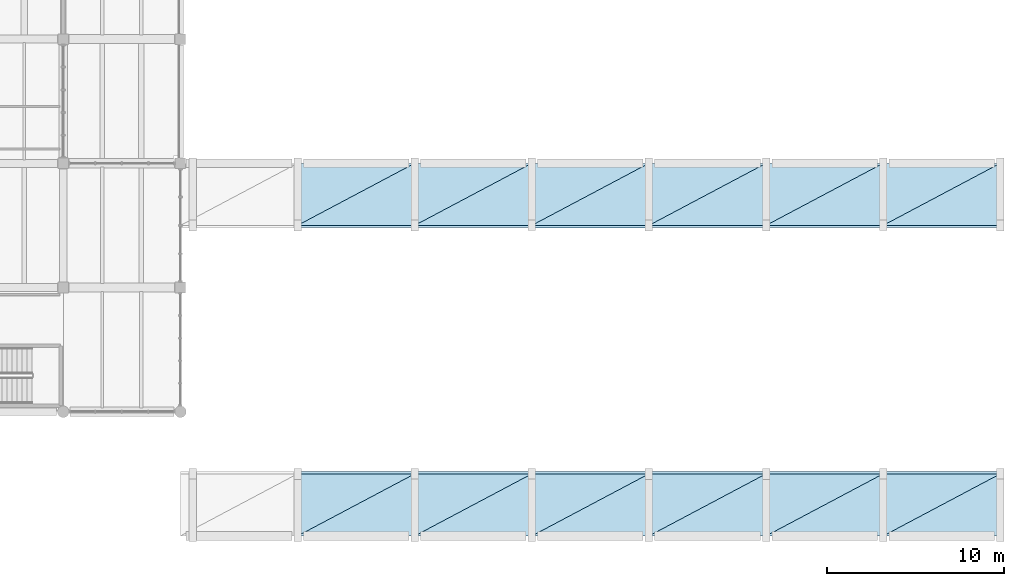
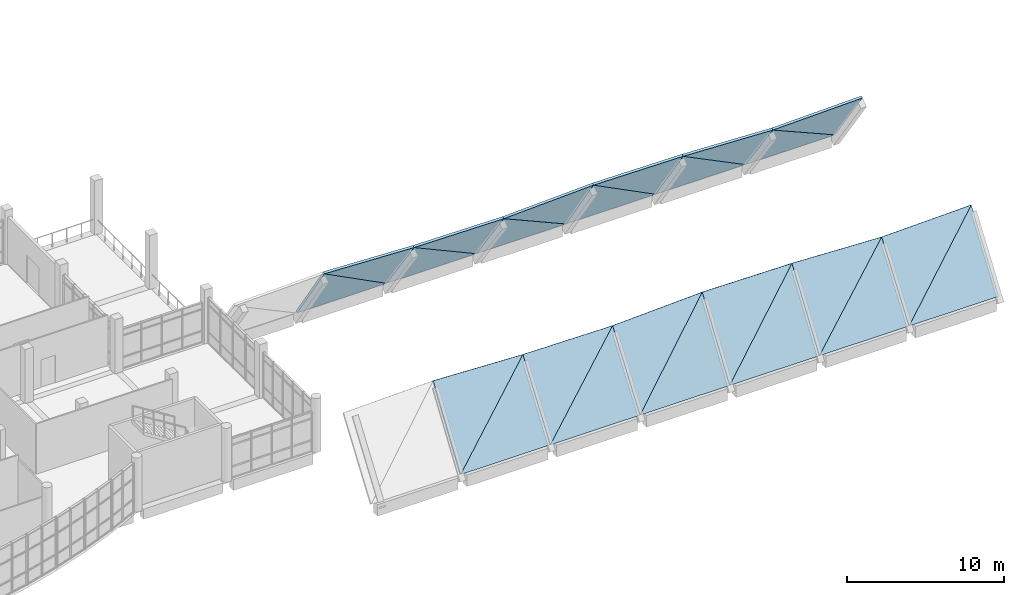
# One storey, part 46 of 67: 24 slabs, 1 element without a shape of its own.
"""IFC4 building model written with IfcOpenShell, lengths in metres."""

from ifc_helpers import new_model, si_unit, direction, frame, origin, place, context, subcontext, project, spatial, polyline, outline, extrude, material, layer, layer_set, type_object, element, aggregate, save


model = new_model("IFC4")

# Units and contexts
model_context = context("Model", 3, precision=1e-05, world=origin(), true_north=direction((0.0, 1.0)))
body_context = subcontext(model_context, "Body", "Model", "MODEL_VIEW")
ifc_project = project(units=[si_unit("LENGTHUNIT", "METRE"), si_unit("AREAUNIT", "SQUARE_METRE"), si_unit("VOLUMEUNIT", "CUBIC_METRE"), si_unit("PLANEANGLEUNIT", "RADIAN"), si_unit("MASSUNIT", "GRAM", prefix="KILO")], contexts=[model_context])

# Site, building, storey
site_placement = place(None, origin())
site = spatial("IfcSite", under=ifc_project, at=site_placement, CompositionType="ELEMENT")
building_placement = place(site_placement, origin())
building = spatial("IfcBuilding", under=site, at=building_placement, Name="Ciguamira Faculty of Natural Sciences", CompositionType="ELEMENT")
storey_placement = place(building_placement, frame((0.0, 0.0, 8.39990234375)))
storey = spatial("IfcBuildingStorey", under=building, at=storey_placement, Name="L02", CompositionType="ELEMENT", Elevation=8.39990234375)

# Roof, slabs
ifc_material = material(Name="Concrete C40/50", Category="concrete")
roof_type = type_object("IfcRoofType", Name="RoofSys_RF-SHL", PredefinedType="FREEFORM", material=ifc_material)
roof_placement = place(storey_placement, origin())
roof = element("IfcRoof", 1, at=roof_placement, inside=storey, type_object=roof_type, Name="Lecture Theatres Thin Concrete Shell Roof", PredefinedType="FREEFORM")
ifc_layer = layer(ifc_material, 0.159912109375, Name="Concrete C40/50")
ifc_layer_set = layer_set([ifc_layer], Name="Concrete C40/50")
slab_type = type_object("IfcSlabType", Name="Slab_SR-02_160", PredefinedType="ROOF", material=ifc_layer_set)
slab_1_placement = place(storey_placement, frame((129.89990234375, 3.0, 0.0), z_axis=(0.0, -0.81442482157, 0.580269084142), x_axis=(1.0, 0.0, 0.0)))
slab_1 = element("IfcSlab", 2, at=slab_1_placement, type_object=slab_type, Name="V1 thin concrete shell facet 02-01-T1", PredefinedType="ROOF", context=body_context, shape_type="SweptSolid", body=[
    extrude(outline(polyline([(0.0, 0.0), (6.60009765625, 0.0), (6.60009765625, 6.031684429947682), (0.0, 0.0)])), origin(), (0.0, 0.0, -1.0), 0.159912109375),
])
slab_2_placement = place(storey_placement, frame((129.89990234375, 3.0, 0.0), z_axis=(0.022691842945, -0.828372186271, 0.559718323155), x_axis=(0.738178653202, 0.391452584608, 0.549415280057)))
slab_2 = element("IfcSlab", 3, at=slab_2_placement, type_object=slab_type, Name="V1 thin concrete shell facet 02-01-T2", PredefinedType="ROOF", context=body_context, shape_type="SweptSolid", body=[
    extrude(outline(polyline([(0.0, 0.0), (8.941057327548574, 4.440892098500626e-16), (4.216017639141639, 4.6159383735048465), (0.0, 0.0)])), origin(), (0.0, 0.0, -1.0), 0.159912109375),
])
slab_3_placement = place(storey_placement, frame((129.89990234375, 20.5, 5.179931640625), z_axis=(0.023518495479, 0.814199553238, 0.580108582834), x_axis=(0.999179203423, 0.0, -0.040508263925)))
slab_3 = element("IfcSlab", 4, at=slab_3_placement, type_object=slab_type, Name="V1 thin concrete shell facet 02-06-T1", PredefinedType="ROOF", context=body_context, shape_type="SweptSolid", body=[
    extrude(outline(polyline([(0.0, 0.0), (6.605519443996457, 0.0), (6.804510356700945, 6.028401088110705), (0.0, 0.0)])), origin(), (0.0, 0.0, -1.0), 0.159912109375),
])
slab_4_placement = place(storey_placement, frame((129.89990234375, 20.5, 5.179931640625), z_axis=(0.0, 0.828585541264, 0.559862483837), x_axis=(0.726017977512, 0.385003836858, -0.569798158943)))
slab_4 = element("IfcSlab", 5, at=slab_4_placement, type_object=slab_type, Name="V1 thin concrete shell facet 02-06-T2", PredefinedType="ROOF", context=body_context, shape_type="SweptSolid", body=[
    extrude(outline(polyline([(0.0, 0.0), (9.090818493050268, 8.881784197001252e-16), (4.299028941280161, 4.5387269100028025), (0.0, 0.0)])), origin(), (0.0, 0.0, -1.0), 0.159912109375),
])
slab_5_placement = place(storey_placement, frame((136.5, 3.0, 0.0), z_axis=(0.0, -0.810681382248, 0.585487571582), x_axis=(1.0, 0.0, 0.0)))
slab_5 = element("IfcSlab", 6, at=slab_5_placement, type_object=slab_type, Name="V1 thin concrete shell facet 03-01-T1", PredefinedType="ROOF", context=body_context, shape_type="SweptSolid", body=[
    extrude(outline(polyline([(0.0, 0.0), (6.60009765625, 0.0), (6.60009765625, 5.977923648392588), (0.0, 0.0)])), origin(), (0.0, 0.0, -1.0), 0.159912109375),
])
slab_6_placement = place(storey_placement, frame((136.5, 3.0, 0.0), z_axis=(0.005816758951, -0.81441104355, 0.580259267448), x_axis=(0.741177736781, 0.393042984187, 0.544217580643)))
slab_6 = element("IfcSlab", 7, at=slab_6_placement, type_object=slab_type, Name="V1 thin concrete shell facet 03-01-T2", PredefinedType="ROOF", context=body_context, shape_type="SweptSolid", body=[
    extrude(outline(polyline([(0.0, 0.0), (8.904878450492635, 8.881784197001252e-16), (4.049039590191055, 4.470625846516207), (0.0, 0.0)])), origin(), (0.0, 0.0, -1.0), 0.159912109375),
])
slab_7_placement = place(storey_placement, frame((136.5, 20.5, 4.912353515625), z_axis=(0.005869068549, 0.810667419776, 0.585477487653), x_axis=(0.999949759351, 0.0, -0.010023910068)))
slab_7 = element("IfcSlab", 8, at=slab_7_placement, type_object=slab_type, Name="V1 thin concrete shell facet 03-06-T1", PredefinedType="ROOF", context=body_context, shape_type="SweptSolid", body=[
    extrude(outline(polyline([(0.0, 0.0), (6.600429266097296, 6.938893903907228e-18), (6.649007052926922, 5.97772626879469), (0.0, 0.0)])), origin(), (0.0, 0.0, -1.0), 0.159912109375),
])
slab_8_placement = place(storey_placement, frame((136.5, 20.5, 4.912353515625), z_axis=(0.0, 0.81442482157, 0.580269084142), x_axis=(0.738178653202, 0.391452584608, -0.549415280057)))
slab_8 = element("IfcSlab", 9, at=slab_8_placement, type_object=slab_type, Name="V1 thin concrete shell facet 03-06-T2", PredefinedType="ROOF", context=body_context, shape_type="SweptSolid", body=[
    extrude(outline(polyline([(0.0, 0.0), (8.941057327548574, 0.0), (4.069006128657511, 4.45246068903712), (0.0, 0.0)])), origin(), (0.0, 0.0, -1.0), 0.159912109375),
])
slab_9_placement = place(storey_placement, frame((143.10009765625, 3.0, 0.0), z_axis=(0.0, -0.826735949182, 0.562590144182), x_axis=(1.0, 0.0, 0.0)))
slab_9 = element("IfcSlab", 10, at=slab_9_placement, type_object=slab_type, Name="V1 thin concrete shell facet 04-01-T1", PredefinedType="ROOF", context=body_context, shape_type="SweptSolid", body=[
    extrude(outline(polyline([(0.0, 0.0), (6.599853515625, 0.0), (6.599853515625, 6.221225231543672), (0.0, 0.0)])), origin(), (0.0, 0.0, -1.0), 0.159912109375),
])
slab_10_placement = place(storey_placement, frame((143.10009765625, 3.0, 0.0), z_axis=(-0.026348943358, -0.810399918795, 0.585284293998), x_axis=(0.727671608469, 0.385895023823, 0.567079413148)))
slab_10 = element("IfcSlab", 11, at=slab_10_placement, type_object=slab_type, Name="V1 thin concrete shell facet 04-01-T2", PredefinedType="ROOF", context=body_context, shape_type="SweptSolid", body=[
    extrude(outline(polyline([(0.0, 0.0), (9.06982413331721, -4.440892098500626e-16), (4.098807962039723, 4.3514761215398075), (0.0, 0.0)])), origin(), (0.0, 0.0, -1.0), 0.159912109375),
])
slab_11_placement = place(storey_placement, frame((143.10009765625, 20.5, 4.84619140625), z_axis=(-0.025319154827, 0.82647091319, 0.562409788365), x_axis=(0.998988180276, 0.0, 0.044973499626)))
slab_11 = element("IfcSlab", 12, at=slab_11_placement, type_object=slab_type, Name="V1 thin concrete shell facet 04-06-T1", PredefinedType="ROOF", context=body_context, shape_type="SweptSolid", body=[
    extrude(outline(polyline([(0.0, 0.0), (6.606538141222936, 5.551115123125783e-17), (6.375225466265441, 6.2169235018616416), (0.0, 0.0)])), origin(), (0.0, 0.0, -1.0), 0.159912109375),
])
slab_12_placement = place(storey_placement, frame((143.10009765625, 20.5, 4.84619140625), z_axis=(0.0, 0.810681382248, 0.585487571582), x_axis=(0.741165381005, 0.393050971113, -0.54422863955)))
slab_12 = element("IfcSlab", 13, at=slab_12_placement, type_object=slab_type, Name="V1 thin concrete shell facet 04-06-T2", PredefinedType="ROOF", context=body_context, shape_type="SweptSolid", body=[
    extrude(outline(polyline([(0.0, 0.0), (8.904697500405, -8.881784197001252e-16), (4.01311455491734, 4.4306300584817455), (0.0, 0.0)])), origin(), (0.0, 0.0, -1.0), 0.159912109375),
])
slab_13_placement = place(storey_placement, frame((149.699951171875, 3.0, 0.0), z_axis=(0.0, -0.823325065327, 0.567570116201), x_axis=(1.0, 0.0, 0.0)))
slab_13 = element("IfcSlab", 14, at=slab_13_placement, type_object=slab_type, Name="V1 thin concrete shell facet 05-01-T1", PredefinedType="ROOF", context=body_context, shape_type="SweptSolid", body=[
    extrude(outline(polyline([(0.0, 0.0), (6.60009765625, 0.0), (6.60009765625, 6.166638975682677), (0.0, 0.0)])), origin(), (0.0, 0.0, -1.0), 0.159912109375),
])
slab_14_placement = place(storey_placement, frame((149.699951171875, 3.0, 0.0), z_axis=(0.005639546666, -0.826722802121, 0.562581197665), x_axis=(0.730693573006, 0.38748328263, 0.562088612275)))
slab_14 = element("IfcSlab", 15, at=slab_14_placement, type_object=slab_type, Name="V1 thin concrete shell facet 05-01-T2", PredefinedType="ROOF", context=body_context, shape_type="SweptSolid", body=[
    extrude(outline(polyline([(0.0, 0.0), (9.032647747390875, 4.440892098500626e-16), (4.247187776997628, 4.545881583204469), (0.0, 0.0)])), origin(), (0.0, 0.0, -1.0), 0.159912109375),
])
slab_15_placement = place(storey_placement, frame((149.699951171875, 20.5, 5.143310546875), z_axis=(0.005689465563, 0.823311739695, 0.567560929999), x_axis=(0.999949759351, 0.0, -0.010023910068)))
slab_15 = element("IfcSlab", 16, at=slab_15_placement, type_object=slab_type, Name="V1 thin concrete shell facet 05-06-T1", PredefinedType="ROOF", context=body_context, shape_type="SweptSolid", body=[
    extrude(outline(polyline([(0.0, 0.0), (6.600429266097296, 0.0), (6.651322145437795, 6.166428964258092), (0.0, 0.0)])), origin(), (0.0, 0.0, -1.0), 0.159912109375),
])
slab_16_placement = place(storey_placement, frame((149.699951171875, 20.5, 5.143310546875), z_axis=(0.0, 0.826735949182, 0.562590144182), x_axis=(0.727684272809, 0.385887465228, -0.567068305662)))
slab_16 = element("IfcSlab", 17, at=slab_16_placement, type_object=slab_type, Name="V1 thin concrete shell facet 05-06-T2", PredefinedType="ROOF", context=body_context, shape_type="SweptSolid", body=[
    extrude(outline(polyline([(0.0, 0.0), (9.070001789064452, 4.440892098500626e-16), (4.267214525609019, 4.527087758595698), (0.0, 0.0)])), origin(), (0.0, 0.0, -1.0), 0.159912109375),
])
slab_17_placement = place(storey_placement, frame((156.300048828125, 3.0, 0.0), z_axis=(0.0, -0.808565662543, 0.588405956255), x_axis=(1.0, 0.0, 0.0)))
slab_17 = element("IfcSlab", 18, at=slab_17_placement, type_object=slab_type, Name="V1 thin concrete shell facet 06-01-T1", PredefinedType="ROOF", context=body_context, shape_type="SweptSolid", body=[
    extrude(outline(polyline([(0.0, 0.0), (6.599853515625, 0.0), (6.599853515625, 5.94827425316632), (0.0, 0.0)])), origin(), (0.0, 0.0, -1.0), 0.159912109375),
])
slab_18_placement = place(storey_placement, frame((156.300048828125, 3.0, 0.0), z_axis=(0.023004928089, -0.823107173684, 0.567419909691), x_axis=(0.742823516999, 0.393930305171, 0.541324428842)))
slab_18 = element("IfcSlab", 19, at=slab_18_placement, type_object=slab_type, Name="V1 thin concrete shell facet 06-01-T2", PredefinedType="ROOF", context=body_context, shape_type="SweptSolid", body=[
    extrude(outline(polyline([(0.0, 0.0), (8.884820370642785, -8.881784197001252e-16), (4.1271405461743615, 4.581937054187048), (0.0, 0.0)])), origin(), (0.0, 0.0, -1.0), 0.159912109375),
])
slab_19_placement = place(storey_placement, frame((156.300048828125, 20.5, 5.0771484375), z_axis=(0.02384898098, 0.808335684317, 0.588238597481), x_axis=(0.999179142771, 0.0, -0.040509759941)))
slab_19 = element("IfcSlab", 20, at=slab_19_placement, type_object=slab_type, Name="V1 thin concrete shell facet 06-06-T1", PredefinedType="ROOF", context=body_context, shape_type="SweptSolid", body=[
    extrude(outline(polyline([(0.0, 0.0), (6.60527550376865, 0.0), (6.800110042546049, 5.945082513588921), (0.0, 0.0)])), origin(), (0.0, 0.0, -1.0), 0.159912109375),
])
slab_20_placement = place(storey_placement, frame((156.300048828125, 20.5, 5.0771484375), z_axis=(0.0, 0.823325065327, 0.567570116201), x_axis=(0.730680974915, 0.38749093539, -0.562099713474)))
slab_20 = element("IfcSlab", 21, at=slab_20_placement, type_object=slab_type, Name="V1 thin concrete shell facet 06-06-T2", PredefinedType="ROOF", context=body_context, shape_type="SweptSolid", body=[
    extrude(outline(polyline([(0.0, 0.0), (9.032469356943116, -4.440892098500626e-16), (4.21008195584717, 4.505845778703346), (0.0, 0.0)])), origin(), (0.0, 0.0, -1.0), 0.159912109375),
])
slab_21_placement = place(storey_placement, frame((162.89990234375, 3.0, 0.0), z_axis=(0.0, -0.818955382747, 0.573857195711), x_axis=(1.0, 0.0, 0.0)))
slab_21 = element("IfcSlab", 22, at=slab_21_placement, type_object=slab_type, Name="V1 thin concrete shell facet 07-01-T1", PredefinedType="ROOF", context=body_context, shape_type="SweptSolid", body=[
    extrude(outline(polyline([(0.0, 0.0), (6.60009765625, 0.0), (6.60009765625, 6.099078352865976), (0.0, 0.0)])), origin(), (0.0, 0.0, -1.0), 0.159912109375),
])
slab_22_placement = place(storey_placement, frame((162.89990234375, 3.0, 0.0), z_axis=(-0.016517688569, -0.808455352902, 0.588325682193), x_axis=(0.734432831761, 0.389466193539, 0.555809769365)))
slab_22 = element("IfcSlab", 23, at=slab_22_placement, type_object=slab_type, Name="V1 thin concrete shell facet 07-01-T2", PredefinedType="ROOF", context=body_context, shape_type="SweptSolid", body=[
    extrude(outline(polyline([(0.0, 0.0), (8.986659325157213, 0.0), (4.036337843520274, 4.369203978283397), (0.0, 0.0)])), origin(), (0.0, 0.0, -1.0), 0.159912109375),
])
slab_23_placement = place(storey_placement, frame((162.89990234375, 20.5, 4.8095703125), z_axis=(-0.016109384168, 0.818849111371, 0.573782729391), x_axis=(0.999606108797, 0.0, 0.028064697661)))
slab_23 = element("IfcSlab", 24, at=slab_23_placement, type_object=slab_type, Name="V1 thin concrete shell facet 07-06-T1", PredefinedType="ROOF", context=body_context, shape_type="SweptSolid", body=[
    extrude(outline(polyline([(0.0, 0.0), (6.6026984010632805, 0.0), (6.4625187991458475, 6.097467214639584), (0.0, 0.0)])), origin(), (0.0, 0.0, -1.0), 0.159912109375),
])
slab_24_placement = place(storey_placement, frame((162.89990234375, 20.5, 4.8095703125), z_axis=(0.0, 0.808565662543, 0.588405956255), x_axis=(0.742835832803, 0.393922264521, -0.541313379678)))
slab_24 = element("IfcSlab", 25, at=slab_24_placement, type_object=slab_type, Name="V1 thin concrete shell facet 07-06-T2", PredefinedType="ROOF", context=body_context, shape_type="SweptSolid", body=[
    extrude(outline(polyline([(0.0, 0.0), (8.885001725543901, 0.0), (3.982212686482672, 4.418591258591115), (0.0, 0.0)])), origin(), (0.0, 0.0, -1.0), 0.159912109375),
])
aggregate(roof, [slab_1, slab_2, slab_3, slab_4, slab_5, slab_6, slab_7, slab_8, slab_9, slab_10, slab_11, slab_12, slab_13, slab_14, slab_15, slab_16, slab_17, slab_18, slab_19, slab_20, slab_21, slab_22, slab_23, slab_24])

save(model, "model.ifc")
